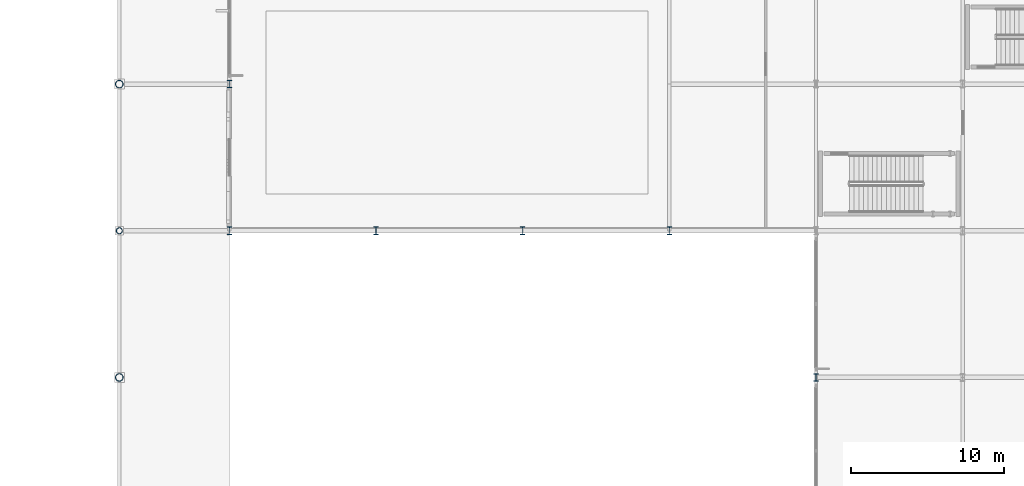
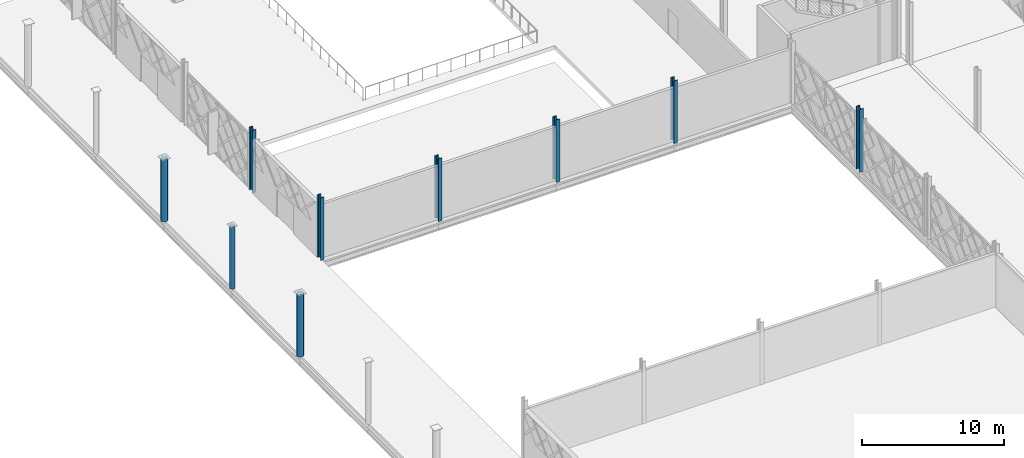
# One storey, part 11 of 84: 9 columns.
"""IFC4 building model written with IfcOpenShell, lengths in metres."""

from ifc_helpers import new_model, si_unit, direction, frame, origin, origin_2d, place, context, subcontext, project, spatial, hollow_circle, i_section, extrude, material, material_profile, profile_set, type_object, element, save


model = new_model("IFC4")

# Units and contexts
model_context = context("Model", 3, precision=1e-05, world=origin(), true_north=direction((0.0, 1.0)))
body_context = subcontext(model_context, "Body", "Model", "MODEL_VIEW")
ifc_project = project(units=[si_unit("LENGTHUNIT", "METRE"), si_unit("AREAUNIT", "SQUARE_METRE"), si_unit("VOLUMEUNIT", "CUBIC_METRE"), si_unit("PLANEANGLEUNIT", "RADIAN"), si_unit("MASSUNIT", "GRAM", prefix="KILO")], contexts=[model_context])

# Site, building, storey
site_placement = place(None, origin())
site = spatial("IfcSite", under=ifc_project, at=site_placement, CompositionType="ELEMENT")
building_placement = place(site_placement, origin())
building = spatial("IfcBuilding", under=site, at=building_placement, Name="Zevrakil Square Congress Hotel", CompositionType="ELEMENT")
storey_placement = place(building_placement, origin())
storey = spatial("IfcBuildingStorey", under=building, at=storey_placement, Name="L01", CompositionType="ELEMENT", Elevation=0.0)

# Columns
ifc_material_1 = material(Name="Steel S355", Category="steel")
ifc_material_profile_1 = material_profile(ifc_material_1, hollow_circle(Radius=0.203125, WallThickness=0.02001953125, at=origin_2d()), Name="CHS 406.4x20")
ifc_profile_set_1 = profile_set([ifc_material_profile_1], Name="Steel S355")
column_type_1 = type_object("IfcColumnType", Name="COL-CHS406", PredefinedType="COLUMN", material=ifc_profile_set_1)
column_placement = place(storey_placement, frame((0.0, 74.39990234375, 0.0), z_axis=(0.0, 0.0, 1.0), x_axis=(1.0, 0.0, 0.0)))
element("IfcColumn", 1, at=column_placement, inside=storey, type_object=column_type_1, Name="L01 column C-009", PredefinedType="COLUMN", context=body_context, shape_type="SweptSolid", body=[
    extrude(hollow_circle(Radius=0.203125, WallThickness=0.02001953125, at=origin_2d()), origin(), (0.0, 0.0, 1.0), 5.39990234375),
])
ifc_material_2 = material(Name="Steel S355", Category="steel")
ifc_material_profile_2 = material_profile(ifc_material_2, hollow_circle(Radius=0.25390625, WallThickness=0.02001953125, at=origin_2d()), Name="CHS 508x20")
ifc_profile_set_2 = profile_set([ifc_material_profile_2], Name="Steel S355")
column_type_2 = type_object("IfcColumnType", Name="COL-CHS508", PredefinedType="COLUMN", material=ifc_profile_set_2)
for number, where, z_axis, x_axis, name in (
    (2, (0.0, 64.800048828125, 0.0), (0.0, 0.0, 1.0), (1.0, 0.0, 0.0), "L01 column C-008"),
    (3, (0.0, 84.0, 0.0), (0.0, 0.0, 1.0), (1.0, 0.0, 0.0), "L01 column C-010"),
):
    element("IfcColumn", number, at=place(storey_placement, frame(where, z_axis=z_axis, x_axis=x_axis)), inside=storey, type_object=column_type_2, Name=name, PredefinedType="COLUMN", context=body_context, shape_type="SweptSolid", body=[
        extrude(hollow_circle(Radius=0.25390625, WallThickness=0.02001953125, at=origin_2d()), origin(), (0.0, 0.0, 1.0), 5.39990234375),
    ])
ifc_material_3 = material(Name="Steel S355", Category="steel")
ifc_material_profile_3 = material_profile(ifc_material_3, i_section(OverallWidth=0.300048828125, OverallDepth=0.5, WebThickness=0.014404296875, FlangeThickness=0.028076171875, FilletRadius=0.027099609375, at=origin_2d()), Name="HEB 500")
ifc_profile_set_3 = profile_set([ifc_material_profile_3], Name="Steel S355")
column_type_3 = type_object("IfcColumnType", Name="COL-HEB500", PredefinedType="COLUMN", material=ifc_profile_set_3)
for number, where, z_axis, x_axis, name in (
    (4, (7.199951171875, 74.39990234375, 0.0), (0.0, 0.0, 1.0), (1.0, 0.0, 0.0), "L01 column C-020"),
    (5, (7.199951171875, 84.0, 0.0), (0.0, 0.0, 1.0), (1.0, 0.0, 0.0), "L01 column C-021"),
    (6, (16.800048828125, 74.39990234375, 0.0), (0.0, 0.0, 1.0), (1.0, 0.0, 0.0), "L01 column C-034"),
    (7, (26.39990234375, 74.39990234375, 0.0), (0.0, 0.0, 1.0), (1.0, 0.0, 0.0), "L01 column C-048"),
    (8, (36.0, 74.39990234375, 0.0), (0.0, 0.0, 1.0), (1.0, 0.0, 0.0), "L01 column C-061"),
    (9, (45.60009765625, 64.800048828125, 0.0), (0.0, 0.0, 1.0), (1.0, 0.0, 0.0), "L01 column C-074"),
):
    element("IfcColumn", number, at=place(storey_placement, frame(where, z_axis=z_axis, x_axis=x_axis)), inside=storey, type_object=column_type_3, Name=name, PredefinedType="COLUMN", context=body_context, shape_type="SweptSolid", body=[
        extrude(i_section(OverallWidth=0.300048828125, OverallDepth=0.5, WebThickness=0.014404296875, FlangeThickness=0.028076171875, FilletRadius=0.027099609375, at=origin_2d()), origin(), (0.0, 0.0, 1.0), 5.39990234375),
    ])

save(model, "model.ifc")
